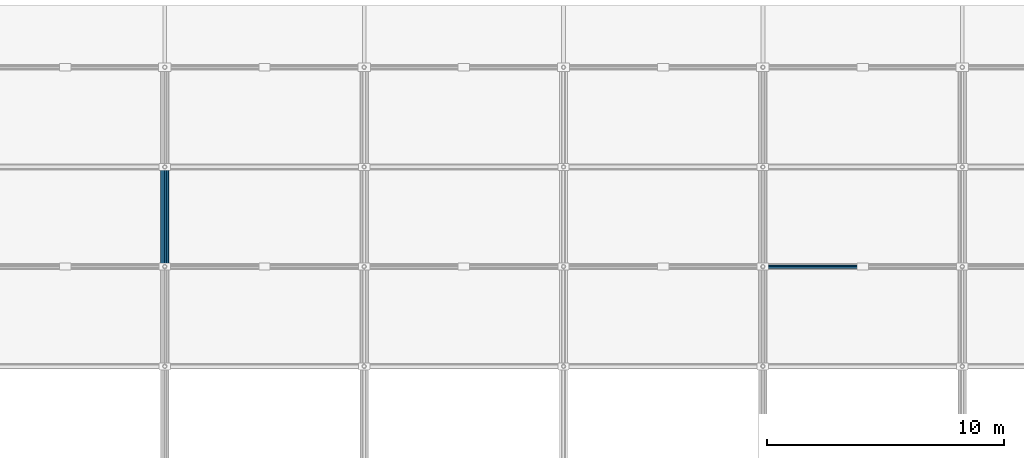
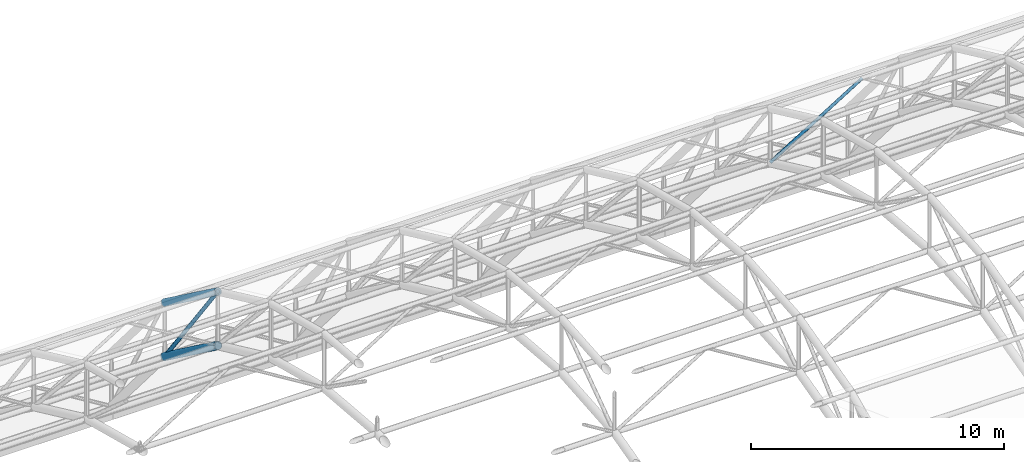
# One storey, part 40 of 103: 2 beams, 2 members.
"""IFC4 building model written with IfcOpenShell, lengths in metres."""

from ifc_helpers import new_model, si_unit, direction, frame, origin, origin_2d, place, context, subcontext, project, spatial, hollow_circle, extrude, material, material_profile, profile_set, type_object, element, save


model = new_model("IFC4")

# Units and contexts
model_context = context("Model", 3, precision=1e-05, world=origin(), true_north=direction((0.0, 1.0)))
body_context = subcontext(model_context, "Body", "Model", "MODEL_VIEW")
ifc_project = project(units=[si_unit("LENGTHUNIT", "METRE"), si_unit("AREAUNIT", "SQUARE_METRE"), si_unit("VOLUMEUNIT", "CUBIC_METRE"), si_unit("PLANEANGLEUNIT", "RADIAN"), si_unit("MASSUNIT", "GRAM", prefix="KILO")], contexts=[model_context])

# Site, building, storey
site_placement = place(None, origin())
site = spatial("IfcSite", under=ifc_project, at=site_placement, CompositionType="ELEMENT")
building_placement = place(site_placement, origin())
building = spatial("IfcBuilding", under=site, at=building_placement, Name="Varnapada Polytechnic", CompositionType="ELEMENT")
storey_placement = place(building_placement, frame((0.0, 0.0, 18.0)))
storey = spatial("IfcBuildingStorey", under=building, at=storey_placement, Name="L04", CompositionType="ELEMENT", Elevation=18.0)

# Beam
ifc_material = material(Name="Steel S355", Category="steel")
ifc_material_profile_1 = material_profile(ifc_material, hollow_circle(Radius=0.177734375, WallThickness=0.012451171875, at=origin_2d()), Name="CHS 355.6x12.5")
ifc_profile_set_1 = profile_set([ifc_material_profile_1], Name="Steel S355")
beam_type_1 = type_object("IfcBeamType", Name="Vaulted space frame primary arch rib VA-01 (CHS 355.6x12.5)", PredefinedType="BEAM", material=ifc_profile_set_1)
beam_1_placement = place(storey_placement, frame((67.199951171875, 117.60009765625, 8.02783203125), z_axis=(0.0, 0.806528689778, -0.591194953095), x_axis=(-1.0, 0.0, 0.0)))
element("IfcBeam", 1, at=beam_1_placement, inside=storey, type_object=beam_type_1, Name="Vaulted space frame bottom arch chord 3.9", PredefinedType="BEAM", context=body_context, shape_type="SweptSolid", body=[
    extrude(hollow_circle(Radius=0.177734375, WallThickness=0.012451171875, at=origin_2d()), origin(), (0.0, 0.0, 1.0), 5.20751953125),
])

# Members
ifc_material_profile_2 = material_profile(ifc_material, hollow_circle(Radius=0.084228515625, WallThickness=0.00634765625, at=origin_2d()), Name="CHS 168.3x6.3")
ifc_profile_set_2 = profile_set([ifc_material_profile_2], Name="Steel S355")
member_type_1 = type_object("IfcMemberType", Name="Vaulted space frame primary web diagonal SFB-01 (CHS 168.3x6.3)", PredefinedType="BRACE", material=ifc_profile_set_2)
member_1_placement = place(storey_placement, frame((67.199951171875, 117.60009765625, 10.6279296875), z_axis=(0.0, 0.594633036041, -0.803997234105), x_axis=(-1.0, 0.0, 0.0)))
element("IfcMember", 2, at=member_1_placement, inside=storey, type_object=member_type_1, Name="Vaulted space frame web diagonal 3.9", PredefinedType="BRACE", context=body_context, shape_type="SweptSolid", body=[
    extrude(hollow_circle(Radius=0.084228515625, WallThickness=0.00634765625, at=origin_2d()), origin(), (0.0, 0.0, 1.0), 7.06298828125),
])
ifc_material_profile_3 = material_profile(ifc_material, hollow_circle(Radius=0.06982421875, WallThickness=0.0048828125, at=origin_2d()), Name="CHS 139.7x5.0")
ifc_profile_set_3 = profile_set([ifc_material_profile_3], Name="Steel S355")
member_type_2 = type_object("IfcMemberType", Name="Vaulted space frame secondary web diagonal SFB-02 (CHS 139.7x5.0)", PredefinedType="BRACE", material=ifc_profile_set_3)
member_2_placement = place(storey_placement, frame((92.39990234375, 117.60009765625, 8.02783203125), z_axis=(0.85026725322, 0.0, 0.526351211741), x_axis=(0.0, 1.0, 0.0)))
element("IfcMember", 3, at=member_2_placement, inside=storey, type_object=member_type_2, Name="Vaulted space frame longitudinal brace 6.9A", PredefinedType="BRACE", context=body_context, shape_type="SweptSolid", body=[
    extrude(hollow_circle(Radius=0.06982421875, WallThickness=0.0048828125, at=origin_2d()), origin(), (0.0, 0.0, 1.0), 4.93994140625),
])

# Beam
ifc_material_profile_4 = material_profile(ifc_material, hollow_circle(Radius=0.161865234375, WallThickness=0.010009765625, at=origin_2d()), Name="CHS 323.9x10.0")
ifc_profile_set_4 = profile_set([ifc_material_profile_4], Name="Steel S355")
beam_type_2 = type_object("IfcBeamType", Name="Vaulted space frame upper arch rib VA-02 (CHS 323.9x10.0)", PredefinedType="BEAM", material=ifc_profile_set_4)
beam_2_placement = place(storey_placement, frame((67.199951171875, 117.60009765625, 10.6279296875), z_axis=(0.0, 0.806506335259, -0.591225448698), x_axis=(-1.0, 0.0, 0.0)))
element("IfcBeam", 4, at=beam_2_placement, inside=storey, type_object=beam_type_2, Name="Vaulted space frame top arch chord 3.9", PredefinedType="BEAM", context=body_context, shape_type="SweptSolid", body=[
    extrude(hollow_circle(Radius=0.161865234375, WallThickness=0.010009765625, at=origin_2d()), origin(), (0.0, 0.0, 1.0), 5.20751953125),
])

save(model, "model.ifc")
